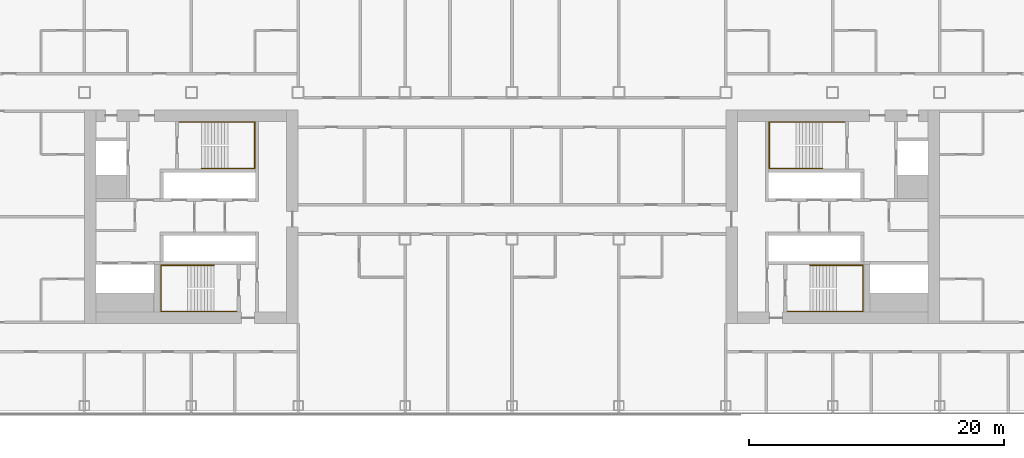
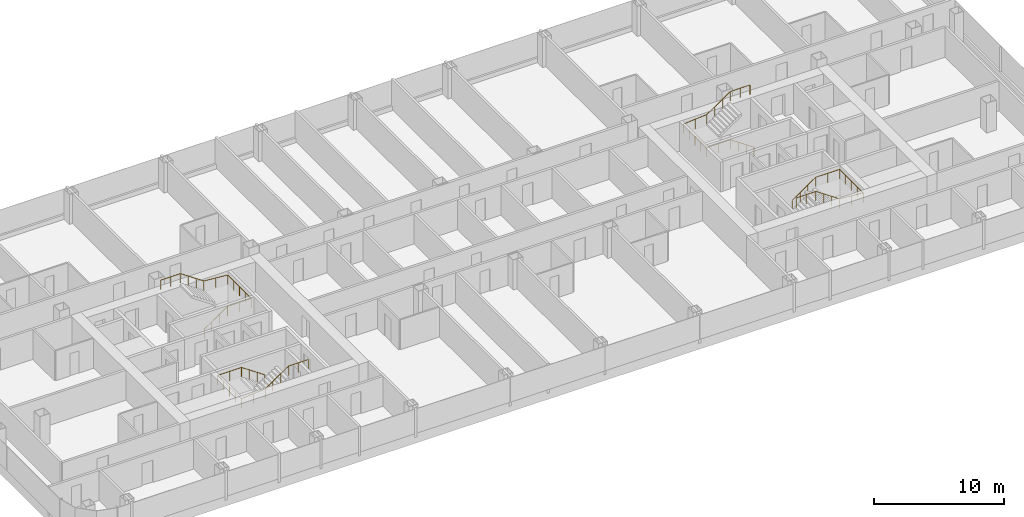
# One storey, part 29 of 29: 4 railings.
"""IFC4 building model written with IfcOpenShell, lengths in metres."""

from ifc_helpers import new_model, si_unit, direction, frame, origin, origin_2d, place, context, subcontext, project, spatial, circle, extrude, material, type_object, element, save


model = new_model("IFC4")

# Units and contexts
model_context = context("Model", 3, precision=1e-05, world=origin(), true_north=direction((0.0, 1.0)))
body_context = subcontext(model_context, "Body", "Model", "MODEL_VIEW")
ifc_project = project(units=[si_unit("LENGTHUNIT", "METRE"), si_unit("AREAUNIT", "SQUARE_METRE"), si_unit("VOLUMEUNIT", "CUBIC_METRE"), si_unit("PLANEANGLEUNIT", "RADIAN"), si_unit("MASSUNIT", "GRAM", prefix="KILO")], contexts=[model_context])

# Site, building, storey
site_placement = place(None, origin())
site = spatial("IfcSite", under=ifc_project, at=site_placement, CompositionType="ELEMENT")
building_placement = place(site_placement, origin())
building = spatial("IfcBuilding", under=site, at=building_placement, Name="Hakoniwa Tower and Hamabe Station Hall", CompositionType="ELEMENT")
storey_placement = place(building_placement, frame((0.0, 0.0, 75.39990234375)))
storey = spatial("IfcBuildingStorey", under=building, at=storey_placement, Name="L20", CompositionType="ELEMENT", Elevation=75.39990234375)

# Railings
ifc_material = material(Name="Stainless steel SUS304", Category="steel")
railing_type = type_object("IfcRailingType", Name="STAIR HANDRAIL 900", PredefinedType="HANDRAIL", material=ifc_material)
railing_1_placement = place(storey_placement, frame((-24.39990234375, 3.81005859375, 0.177978515625)))
element("IfcRailing", 1, at=railing_1_placement, inside=storey, type_object=railing_type, Name="Handrail ST-1 L20 1", PredefinedType="HANDRAIL", context=body_context, shape_type="SweptSolid", body=[
    extrude(circle(Radius=0.02392578125, at=origin_2d()), frame((0.0, 0.0, 0.8759765625), z_axis=(0.825478349766, 0.0, 0.564433781827), x_axis=(0.0, 1.0, 0.0)), (0.0, 0.0, 1.0), 2.51953125),
    extrude(circle(Radius=0.02392578125, at=origin_2d()), frame((2.079833984375, 0.0, 2.2978515625), z_axis=(1.0, 0.0, 0.0), x_axis=(0.0, 1.0, 0.0)), (0.0, 0.0, 1.0), 2.110107421875),
    extrude(circle(Radius=0.02392578125, at=origin_2d()), frame((4.18994140625, 0.0, 2.2978515625), z_axis=(0.0, 1.0, 0.0), x_axis=(-1.0, 0.0, 0.0)), (0.0, 0.0, 1.0), 3.6298828125),
    extrude(circle(Radius=0.02392578125, at=origin_2d()), frame((4.18994140625, 3.6298828125, 2.2978515625), z_axis=(-0.996471417081, 0.0, 0.083932800143), x_axis=(0.0, -1.0, 0.0)), (0.0, 0.0, 1.0), 2.11767578125),
    extrude(circle(Radius=0.02392578125, at=origin_2d()), frame((2.079833984375, 3.6298828125, 2.4755859375), z_axis=(-0.825433201882, 0.0, 0.564499804456), x_axis=(0.0, -1.0, 0.0)), (0.0, 0.0, 1.0), 2.519775390625),
    extrude(circle(Radius=0.02392578125, at=origin_2d()), frame((0.0, 3.6298828125, 3.89794921875), z_axis=(-1.0, 0.0, 0.0), x_axis=(0.0, -1.0, 0.0)), (0.0, 0.0, 1.0), 1.739990234375),
    extrude(circle(Radius=0.02099609375, at=origin_2d()), origin(), (0.0, 0.0, 1.0), 0.851806640625),
    extrude(circle(Radius=0.02099609375, at=origin_2d()), frame((0.693359375, 0.0, 0.47412109375)), (0.0, 0.0, 1.0), 0.851806640625),
    extrude(circle(Radius=0.02099609375, at=origin_2d()), frame((1.386474609375, 0.0, 0.947998046875)), (0.0, 0.0, 1.0), 0.851806640625),
    extrude(circle(Radius=0.02099609375, at=origin_2d()), frame((2.079833984375, 0.0, 1.422119140625)), (0.0, 0.0, 1.0), 0.851806640625),
    extrude(circle(Radius=0.02099609375, at=origin_2d()), frame((3.134765625, 0.0, 1.422119140625)), (0.0, 0.0, 1.0), 0.851806640625),
    extrude(circle(Radius=0.02099609375, at=origin_2d()), frame((4.18994140625, 0.0, 1.422119140625)), (0.0, 0.0, 1.0), 0.851806640625),
    extrude(circle(Radius=0.02099609375, at=origin_2d()), frame((4.18994140625, 0.907470703125, 1.422119140625)), (0.0, 0.0, 1.0), 0.851806640625),
    extrude(circle(Radius=0.02099609375, at=origin_2d()), frame((4.18994140625, 1.81494140625, 1.422119140625)), (0.0, 0.0, 1.0), 0.851806640625),
    extrude(circle(Radius=0.02099609375, at=origin_2d()), frame((4.18994140625, 2.722412109375, 1.422119140625)), (0.0, 0.0, 1.0), 0.851806640625),
    extrude(circle(Radius=0.02099609375, at=origin_2d()), frame((4.18994140625, 3.6298828125, 1.422119140625)), (0.0, 0.0, 1.0), 0.851806640625),
    extrude(circle(Radius=0.02099609375, at=origin_2d()), frame((3.134765625, 3.6298828125, 1.510986328125)), (0.0, 0.0, 1.0), 0.851806640625),
    extrude(circle(Radius=0.02099609375, at=origin_2d()), frame((2.079833984375, 3.6298828125, 1.599853515625)), (0.0, 0.0, 1.0), 0.851806640625),
    extrude(circle(Radius=0.02099609375, at=origin_2d()), frame((1.386474609375, 3.6298828125, 2.073974609375)), (0.0, 0.0, 1.0), 0.851806640625),
    extrude(circle(Radius=0.02099609375, at=origin_2d()), frame((0.693359375, 3.6298828125, 2.548095703125)), (0.0, 0.0, 1.0), 0.851806640625),
    extrude(circle(Radius=0.02099609375, at=origin_2d()), frame((0.0, 3.6298828125, 3.022216796875)), (0.0, 0.0, 1.0), 0.851806640625),
    extrude(circle(Radius=0.02099609375, at=origin_2d()), frame((-0.8701171875, 3.6298828125, 3.022216796875)), (0.0, 0.0, 1.0), 0.851806640625),
    extrude(circle(Radius=0.02099609375, at=origin_2d()), frame((-1.739990234375, 3.6298828125, 3.022216796875)), (0.0, 0.0, 1.0), 0.851806640625),
])
railing_2_placement = place(storey_placement, frame((-23.39990234375, -3.81005859375, 0.177978515625)))
element("IfcRailing", 2, at=railing_2_placement, inside=storey, type_object=railing_type, Name="Handrail ST-2 L20 1", PredefinedType="HANDRAIL", context=body_context, shape_type="SweptSolid", body=[
    extrude(circle(Radius=0.02392578125, at=origin_2d()), frame((0.0, 0.0, 0.8759765625), z_axis=(-0.82550921652, 0.0, 0.564388636881), x_axis=(0.0, -1.0, 0.0)), (0.0, 0.0, 1.0), 2.519775390625),
    extrude(circle(Radius=0.02392578125, at=origin_2d()), frame((-2.080078125, 0.0, 2.2978515625), z_axis=(-1.0, 0.0, 0.0), x_axis=(0.0, -1.0, 0.0)), (0.0, 0.0, 1.0), 2.110107421875),
    extrude(circle(Radius=0.02392578125, at=origin_2d()), frame((-4.190185546875, 0.0, 2.2978515625), z_axis=(0.0, -1.0, 0.0), x_axis=(1.0, 0.0, 0.0)), (0.0, 0.0, 1.0), 3.6298828125),
    extrude(circle(Radius=0.02392578125, at=origin_2d()), frame((-4.190185546875, -3.6298828125, 2.2978515625), z_axis=(0.996471417081, 0.0, 0.083932800143), x_axis=(0.0, 1.0, 0.0)), (0.0, 0.0, 1.0), 2.11767578125),
    extrude(circle(Radius=0.02392578125, at=origin_2d()), frame((-2.080078125, -3.6298828125, 2.4755859375), z_axis=(0.825464074169, 0.0, 0.564454659168), x_axis=(0.0, 1.0, 0.0)), (0.0, 0.0, 1.0), 2.519775390625),
    extrude(circle(Radius=0.02392578125, at=origin_2d()), frame((0.0, -3.6298828125, 3.89794921875), z_axis=(1.0, 0.0, 0.0), x_axis=(0.0, 1.0, 0.0)), (0.0, 0.0, 1.0), 1.739990234375),
    extrude(circle(Radius=0.02099609375, at=origin_2d()), origin(), (0.0, 0.0, 1.0), 0.851806640625),
    extrude(circle(Radius=0.02099609375, at=origin_2d()), frame((-0.693359375, 0.0, 0.47412109375)), (0.0, 0.0, 1.0), 0.851806640625),
    extrude(circle(Radius=0.02099609375, at=origin_2d()), frame((-1.38671875, 0.0, 0.947998046875)), (0.0, 0.0, 1.0), 0.851806640625),
    extrude(circle(Radius=0.02099609375, at=origin_2d()), frame((-2.080078125, 0.0, 1.422119140625)), (0.0, 0.0, 1.0), 0.851806640625),
    extrude(circle(Radius=0.02099609375, at=origin_2d()), frame((-3.13525390625, 0.0, 1.422119140625)), (0.0, 0.0, 1.0), 0.851806640625),
    extrude(circle(Radius=0.02099609375, at=origin_2d()), frame((-4.190185546875, 0.0, 1.422119140625)), (0.0, 0.0, 1.0), 0.851806640625),
    extrude(circle(Radius=0.02099609375, at=origin_2d()), frame((-4.190185546875, -0.907470703125, 1.422119140625)), (0.0, 0.0, 1.0), 0.851806640625),
    extrude(circle(Radius=0.02099609375, at=origin_2d()), frame((-4.190185546875, -1.81494140625, 1.422119140625)), (0.0, 0.0, 1.0), 0.851806640625),
    extrude(circle(Radius=0.02099609375, at=origin_2d()), frame((-4.190185546875, -2.722412109375, 1.422119140625)), (0.0, 0.0, 1.0), 0.851806640625),
    extrude(circle(Radius=0.02099609375, at=origin_2d()), frame((-4.190185546875, -3.6298828125, 1.422119140625)), (0.0, 0.0, 1.0), 0.851806640625),
    extrude(circle(Radius=0.02099609375, at=origin_2d()), frame((-3.13525390625, -3.6298828125, 1.510986328125)), (0.0, 0.0, 1.0), 0.851806640625),
    extrude(circle(Radius=0.02099609375, at=origin_2d()), frame((-2.080078125, -3.6298828125, 1.599853515625)), (0.0, 0.0, 1.0), 0.851806640625),
    extrude(circle(Radius=0.02099609375, at=origin_2d()), frame((-1.38671875, -3.6298828125, 2.073974609375)), (0.0, 0.0, 1.0), 0.851806640625),
    extrude(circle(Radius=0.02099609375, at=origin_2d()), frame((-0.693359375, -3.6298828125, 2.548095703125)), (0.0, 0.0, 1.0), 0.851806640625),
    extrude(circle(Radius=0.02099609375, at=origin_2d()), frame((0.0, -3.6298828125, 3.022216796875)), (0.0, 0.0, 1.0), 0.851806640625),
    extrude(circle(Radius=0.02099609375, at=origin_2d()), frame((0.8701171875, -3.6298828125, 3.022216796875)), (0.0, 0.0, 1.0), 0.851806640625),
    extrude(circle(Radius=0.02099609375, at=origin_2d()), frame((1.739990234375, -3.6298828125, 3.022216796875)), (0.0, 0.0, 1.0), 0.851806640625),
])
railing_3_placement = place(storey_placement, frame((24.39990234375, 3.81005859375, 0.177978515625)))
element("IfcRailing", 3, at=railing_3_placement, inside=storey, type_object=railing_type, Name="Handrail ST-3 L20 1", PredefinedType="HANDRAIL", context=body_context, shape_type="SweptSolid", body=[
    extrude(circle(Radius=0.02392578125, at=origin_2d()), frame((0.0, 0.0, 0.8759765625), z_axis=(-0.825478349766, 0.0, 0.564433781827), x_axis=(0.0, -1.0, 0.0)), (0.0, 0.0, 1.0), 2.51953125),
    extrude(circle(Radius=0.02392578125, at=origin_2d()), frame((-2.079833984375, 0.0, 2.2978515625), z_axis=(-1.0, 0.0, 0.0), x_axis=(0.0, -1.0, 0.0)), (0.0, 0.0, 1.0), 2.110107421875),
    extrude(circle(Radius=0.02392578125, at=origin_2d()), frame((-4.18994140625, 0.0, 2.2978515625), z_axis=(0.0, 1.0, 0.0), x_axis=(-1.0, 0.0, 0.0)), (0.0, 0.0, 1.0), 3.6298828125),
    extrude(circle(Radius=0.02392578125, at=origin_2d()), frame((-4.18994140625, 3.6298828125, 2.2978515625), z_axis=(0.996471417081, 0.0, 0.083932800143), x_axis=(0.0, 1.0, 0.0)), (0.0, 0.0, 1.0), 2.11767578125),
    extrude(circle(Radius=0.02392578125, at=origin_2d()), frame((-2.079833984375, 3.6298828125, 2.4755859375), z_axis=(0.825433201882, 0.0, 0.564499804456), x_axis=(0.0, 1.0, 0.0)), (0.0, 0.0, 1.0), 2.519775390625),
    extrude(circle(Radius=0.02392578125, at=origin_2d()), frame((0.0, 3.6298828125, 3.89794921875), z_axis=(1.0, 0.0, 0.0), x_axis=(0.0, 1.0, 0.0)), (0.0, 0.0, 1.0), 1.739990234375),
    extrude(circle(Radius=0.02099609375, at=origin_2d()), origin(), (0.0, 0.0, 1.0), 0.851806640625),
    extrude(circle(Radius=0.02099609375, at=origin_2d()), frame((-0.693359375, 0.0, 0.47412109375)), (0.0, 0.0, 1.0), 0.851806640625),
    extrude(circle(Radius=0.02099609375, at=origin_2d()), frame((-1.386474609375, 0.0, 0.947998046875)), (0.0, 0.0, 1.0), 0.851806640625),
    extrude(circle(Radius=0.02099609375, at=origin_2d()), frame((-2.079833984375, 0.0, 1.422119140625)), (0.0, 0.0, 1.0), 0.851806640625),
    extrude(circle(Radius=0.02099609375, at=origin_2d()), frame((-3.134765625, 0.0, 1.422119140625)), (0.0, 0.0, 1.0), 0.851806640625),
    extrude(circle(Radius=0.02099609375, at=origin_2d()), frame((-4.18994140625, 0.0, 1.422119140625)), (0.0, 0.0, 1.0), 0.851806640625),
    extrude(circle(Radius=0.02099609375, at=origin_2d()), frame((-4.18994140625, 0.907470703125, 1.422119140625)), (0.0, 0.0, 1.0), 0.851806640625),
    extrude(circle(Radius=0.02099609375, at=origin_2d()), frame((-4.18994140625, 1.81494140625, 1.422119140625)), (0.0, 0.0, 1.0), 0.851806640625),
    extrude(circle(Radius=0.02099609375, at=origin_2d()), frame((-4.18994140625, 2.722412109375, 1.422119140625)), (0.0, 0.0, 1.0), 0.851806640625),
    extrude(circle(Radius=0.02099609375, at=origin_2d()), frame((-4.18994140625, 3.6298828125, 1.422119140625)), (0.0, 0.0, 1.0), 0.851806640625),
    extrude(circle(Radius=0.02099609375, at=origin_2d()), frame((-3.134765625, 3.6298828125, 1.510986328125)), (0.0, 0.0, 1.0), 0.851806640625),
    extrude(circle(Radius=0.02099609375, at=origin_2d()), frame((-2.079833984375, 3.6298828125, 1.599853515625)), (0.0, 0.0, 1.0), 0.851806640625),
    extrude(circle(Radius=0.02099609375, at=origin_2d()), frame((-1.386474609375, 3.6298828125, 2.073974609375)), (0.0, 0.0, 1.0), 0.851806640625),
    extrude(circle(Radius=0.02099609375, at=origin_2d()), frame((-0.693359375, 3.6298828125, 2.548095703125)), (0.0, 0.0, 1.0), 0.851806640625),
    extrude(circle(Radius=0.02099609375, at=origin_2d()), frame((0.0, 3.6298828125, 3.022216796875)), (0.0, 0.0, 1.0), 0.851806640625),
    extrude(circle(Radius=0.02099609375, at=origin_2d()), frame((0.8701171875, 3.6298828125, 3.022216796875)), (0.0, 0.0, 1.0), 0.851806640625),
    extrude(circle(Radius=0.02099609375, at=origin_2d()), frame((1.739990234375, 3.6298828125, 3.022216796875)), (0.0, 0.0, 1.0), 0.851806640625),
])
railing_4_placement = place(storey_placement, frame((23.39990234375, -3.81005859375, 0.177978515625)))
element("IfcRailing", 4, at=railing_4_placement, inside=storey, type_object=railing_type, Name="Handrail ST-4 L20 1", PredefinedType="HANDRAIL", context=body_context, shape_type="SweptSolid", body=[
    extrude(circle(Radius=0.02392578125, at=origin_2d()), frame((0.0, 0.0, 0.8759765625), z_axis=(0.82550921652, 0.0, 0.564388636881), x_axis=(0.0, 1.0, 0.0)), (0.0, 0.0, 1.0), 2.519775390625),
    extrude(circle(Radius=0.02392578125, at=origin_2d()), frame((2.080078125, 0.0, 2.2978515625), z_axis=(1.0, 0.0, 0.0), x_axis=(0.0, 1.0, 0.0)), (0.0, 0.0, 1.0), 2.110107421875),
    extrude(circle(Radius=0.02392578125, at=origin_2d()), frame((4.190185546875, 0.0, 2.2978515625), z_axis=(0.0, -1.0, 0.0), x_axis=(1.0, 0.0, 0.0)), (0.0, 0.0, 1.0), 3.6298828125),
    extrude(circle(Radius=0.02392578125, at=origin_2d()), frame((4.190185546875, -3.6298828125, 2.2978515625), z_axis=(-0.996471417081, 0.0, 0.083932800143), x_axis=(0.0, -1.0, 0.0)), (0.0, 0.0, 1.0), 2.11767578125),
    extrude(circle(Radius=0.02392578125, at=origin_2d()), frame((2.080078125, -3.6298828125, 2.4755859375), z_axis=(-0.825464074169, 0.0, 0.564454659168), x_axis=(0.0, -1.0, 0.0)), (0.0, 0.0, 1.0), 2.519775390625),
    extrude(circle(Radius=0.02392578125, at=origin_2d()), frame((0.0, -3.6298828125, 3.89794921875), z_axis=(-1.0, 0.0, 0.0), x_axis=(0.0, -1.0, 0.0)), (0.0, 0.0, 1.0), 1.739990234375),
    extrude(circle(Radius=0.02099609375, at=origin_2d()), origin(), (0.0, 0.0, 1.0), 0.851806640625),
    extrude(circle(Radius=0.02099609375, at=origin_2d()), frame((0.693359375, 0.0, 0.47412109375)), (0.0, 0.0, 1.0), 0.851806640625),
    extrude(circle(Radius=0.02099609375, at=origin_2d()), frame((1.38671875, 0.0, 0.947998046875)), (0.0, 0.0, 1.0), 0.851806640625),
    extrude(circle(Radius=0.02099609375, at=origin_2d()), frame((2.080078125, 0.0, 1.422119140625)), (0.0, 0.0, 1.0), 0.851806640625),
    extrude(circle(Radius=0.02099609375, at=origin_2d()), frame((3.13525390625, 0.0, 1.422119140625)), (0.0, 0.0, 1.0), 0.851806640625),
    extrude(circle(Radius=0.02099609375, at=origin_2d()), frame((4.190185546875, 0.0, 1.422119140625)), (0.0, 0.0, 1.0), 0.851806640625),
    extrude(circle(Radius=0.02099609375, at=origin_2d()), frame((4.190185546875, -0.907470703125, 1.422119140625)), (0.0, 0.0, 1.0), 0.851806640625),
    extrude(circle(Radius=0.02099609375, at=origin_2d()), frame((4.190185546875, -1.81494140625, 1.422119140625)), (0.0, 0.0, 1.0), 0.851806640625),
    extrude(circle(Radius=0.02099609375, at=origin_2d()), frame((4.190185546875, -2.722412109375, 1.422119140625)), (0.0, 0.0, 1.0), 0.851806640625),
    extrude(circle(Radius=0.02099609375, at=origin_2d()), frame((4.190185546875, -3.6298828125, 1.422119140625)), (0.0, 0.0, 1.0), 0.851806640625),
    extrude(circle(Radius=0.02099609375, at=origin_2d()), frame((3.13525390625, -3.6298828125, 1.510986328125)), (0.0, 0.0, 1.0), 0.851806640625),
    extrude(circle(Radius=0.02099609375, at=origin_2d()), frame((2.080078125, -3.6298828125, 1.599853515625)), (0.0, 0.0, 1.0), 0.851806640625),
    extrude(circle(Radius=0.02099609375, at=origin_2d()), frame((1.38671875, -3.6298828125, 2.073974609375)), (0.0, 0.0, 1.0), 0.851806640625),
    extrude(circle(Radius=0.02099609375, at=origin_2d()), frame((0.693359375, -3.6298828125, 2.548095703125)), (0.0, 0.0, 1.0), 0.851806640625),
    extrude(circle(Radius=0.02099609375, at=origin_2d()), frame((0.0, -3.6298828125, 3.022216796875)), (0.0, 0.0, 1.0), 0.851806640625),
    extrude(circle(Radius=0.02099609375, at=origin_2d()), frame((-0.8701171875, -3.6298828125, 3.022216796875)), (0.0, 0.0, 1.0), 0.851806640625),
    extrude(circle(Radius=0.02099609375, at=origin_2d()), frame((-1.739990234375, -3.6298828125, 3.022216796875)), (0.0, 0.0, 1.0), 0.851806640625),
])

save(model, "model.ifc")
